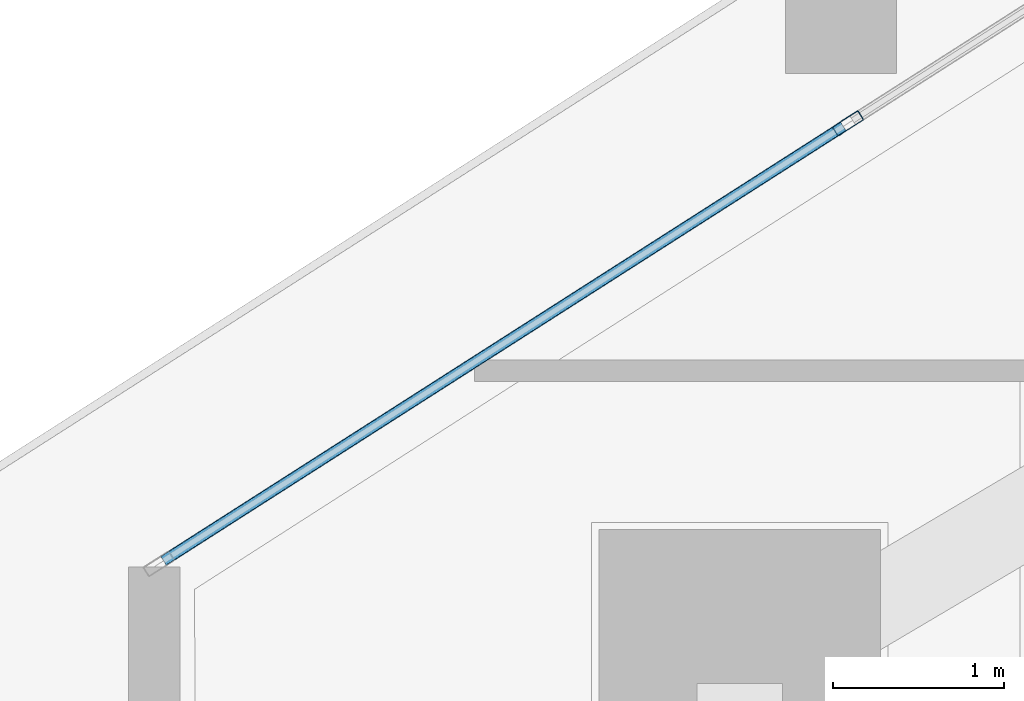
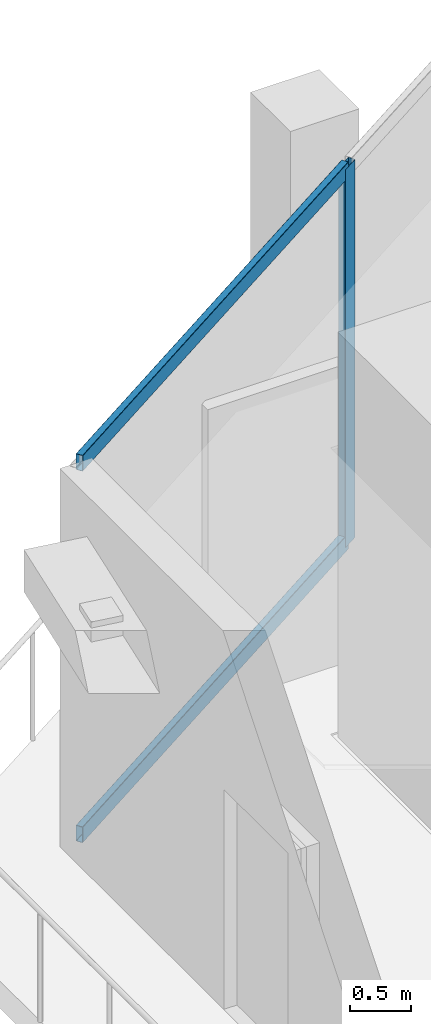
# One storey, part 7 of 36: 3 members, 1 element without a shape of its own.
"""IFC4 building model written with IfcOpenShell, lengths in metres."""

from ifc_helpers import new_model, si_unit, direction, frame, origin, origin_2d, place, context, subcontext, project, spatial, hollow_rectangle, extrude, material, layer, layer_set, material_profile, profile_set, type_object, element, aggregate, save


model = new_model("IFC4")

# Units and contexts
model_context = context("Model", 3, precision=1e-05, world=origin(), true_north=direction((0.0, 1.0)))
body_context = subcontext(model_context, "Body", "Model", "MODEL_VIEW")
ifc_project = project(units=[si_unit("LENGTHUNIT", "METRE"), si_unit("AREAUNIT", "SQUARE_METRE"), si_unit("VOLUMEUNIT", "CUBIC_METRE"), si_unit("PLANEANGLEUNIT", "RADIAN"), si_unit("MASSUNIT", "GRAM", prefix="KILO")], contexts=[model_context])

# Site, building, storey
site_placement = place(None, origin())
site = spatial("IfcSite", under=ifc_project, at=site_placement, CompositionType="ELEMENT")
building_placement = place(site_placement, origin())
building = spatial("IfcBuilding", under=site, at=building_placement, Name="Qorvath Tower", CompositionType="ELEMENT")
storey_placement = place(building_placement, frame((0.0, 0.0, 241.5)))
storey = spatial("IfcBuildingStorey", under=building, at=storey_placement, Name="L56", CompositionType="ELEMENT", Elevation=241.5)

# Curtain wall, members
ifc_material_1 = material(Name="Anodised aluminium and triple low-E glass", Category="aluminium")
ifc_layer = layer(ifc_material_1, 0.179931640625)
ifc_layer_set = layer_set([ifc_layer], Name="CW-SYS-3")
curtain_wall_type = type_object("IfcCurtainWallType", Name="CW-SYS-3", PredefinedType="NOTDEFINED", material=ifc_layer_set)
curtain_wall_placement = place(storey_placement, origin())
curtain_wall = element("IfcCurtainWall", 1, at=curtain_wall_placement, inside=storey, type_object=curtain_wall_type, Name="Curtain Wall CW-3 CW-T-L56-16.3", PredefinedType="NOTDEFINED")
ifc_material_2 = material(Name="Anodised aluminium 6063-T6", Category="aluminium")
ifc_material_profile_1 = material_profile(ifc_material_2, hollow_rectangle(XDim=0.06494140625, YDim=0.179931640625, WallThickness=0.00341796875, InnerFilletRadius=0.00341796875, OuterFilletRadius=0.007080078125, at=origin_2d()), Name="CWM 180x65")
ifc_profile_set_1 = profile_set([ifc_material_profile_1], Name="Anodised aluminium 6063-T6")
member_type_1 = type_object("IfcMemberType", Name="CWM-180", PredefinedType="MULLION", material=ifc_profile_set_1)
member_1_placement = place(storey_placement, frame((-48.53857421875, 5.806884765625, 0.0), z_axis=(0.0, 0.0, 1.0), x_axis=(0.538526839039, -0.842608357207, 0.0)))
member_1 = element("IfcMember", 2, at=member_1_placement, type_object=member_type_1, Name="CW-3 mullion 4", PredefinedType="MULLION", context=body_context, shape_type="SweptSolid", body=[
    extrude(hollow_rectangle(XDim=0.06494140625, YDim=0.179931640625, WallThickness=0.00341796875, InnerFilletRadius=0.00341796875, OuterFilletRadius=0.007080078125, at=origin_2d()), origin(), (0.0, 0.0, 1.0), 3.780029296875),
])
ifc_material_3 = material(Name="Anodised aluminium 6063-T6", Category="aluminium")
ifc_material_profile_2 = material_profile(ifc_material_3, hollow_rectangle(XDim=0.06494140625, YDim=0.159912109375, WallThickness=0.00341796875, InnerFilletRadius=0.00341796875, OuterFilletRadius=0.007080078125, at=origin_2d()), Name="CWT 160x65")
ifc_profile_set_2 = profile_set([ifc_material_profile_2], Name="Anodised aluminium 6063-T6")
member_type_2 = type_object("IfcMemberType", Name="CWT-160", PredefinedType="USERDEFINED", material=ifc_profile_set_2)
member_2_placement = place(storey_placement, frame((-48.56591796875, 5.789306640625, 0.032470703125), z_axis=(-0.842612879889, -0.538519762539, 0.0), x_axis=(0.538519762539, -0.842612879889, 0.0)))
member_2 = element("IfcMember", 3, at=member_2_placement, type_object=member_type_2, Name="CW-3 transom 4.1", ObjectType="TRANSOM", PredefinedType="USERDEFINED", context=body_context, shape_type="SweptSolid", body=[
    extrude(hollow_rectangle(XDim=0.06494140625, YDim=0.159912109375, WallThickness=0.00341796875, InnerFilletRadius=0.00341796875, OuterFilletRadius=0.007080078125, at=origin_2d()), origin(), (0.0, 0.0, 1.0), 4.723876953125),
])
member_3_placement = place(storey_placement, frame((-48.56591796875, 5.789306640625, 3.74755859375), z_axis=(-0.842612879889, -0.538519762539, 0.0), x_axis=(0.538519762539, -0.842612879889, 0.0)))
member_3 = element("IfcMember", 4, at=member_3_placement, type_object=member_type_2, Name="CW-3 transom 4.2", ObjectType="TRANSOM", PredefinedType="USERDEFINED", context=body_context, shape_type="SweptSolid", body=[
    extrude(hollow_rectangle(XDim=0.06494140625, YDim=0.159912109375, WallThickness=0.00341796875, InnerFilletRadius=0.00341796875, OuterFilletRadius=0.007080078125, at=origin_2d()), origin(), (0.0, 0.0, 1.0), 4.723876953125),
])
aggregate(curtain_wall, [member_1, member_2, member_3])

save(model, "model.ifc")
